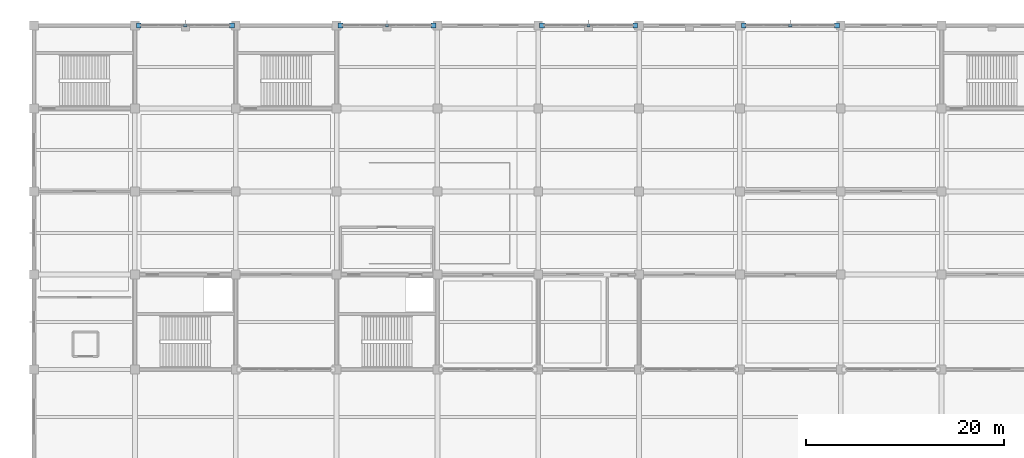
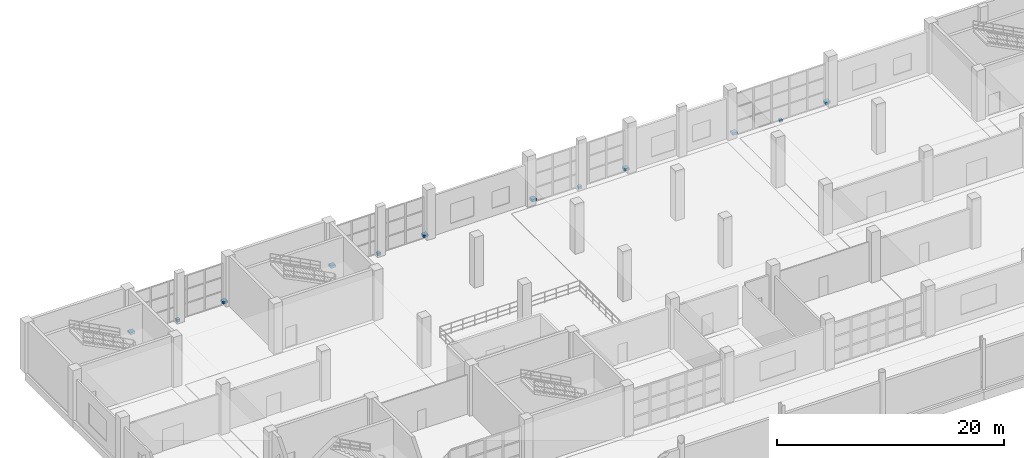
# One storey, part 150 of 175: 12 discrete accessories.
"""IFC4 building model written with IfcOpenShell, lengths in metres."""

from ifc_helpers import new_model, si_unit, direction, frame, origin, origin_2d, place, context, subcontext, project, spatial, rectangle, extrude, material, type_object, element, save


model = new_model("IFC4")

# Units and contexts
model_context = context("Model", 3, precision=1e-05, world=origin(), true_north=direction((0.0, 1.0)))
body_context = subcontext(model_context, "Body", "Model", "MODEL_VIEW")
ifc_project = project(units=[si_unit("LENGTHUNIT", "METRE"), si_unit("AREAUNIT", "SQUARE_METRE"), si_unit("VOLUMEUNIT", "CUBIC_METRE"), si_unit("PLANEANGLEUNIT", "RADIAN"), si_unit("MASSUNIT", "GRAM", prefix="KILO")], contexts=[model_context])

# Site, building, storey
site_placement = place(None, origin())
site = spatial("IfcSite", under=ifc_project, at=site_placement, CompositionType="ELEMENT")
building_placement = place(site_placement, origin())
building = spatial("IfcBuilding", under=site, at=building_placement, Name="Brelvane Convention Centre", CompositionType="ELEMENT")
storey_placement = place(building_placement, frame((0.0, 0.0, 5.39990234375)))
storey = spatial("IfcBuildingStorey", under=building, at=storey_placement, Name="L01", CompositionType="ELEMENT", Elevation=5.39990234375)

# Discrete accessories
ifc_material = material(Name="Steel E350 (350 MPa)", Category="steel")
discrete_accessory_type = type_object("IfcDiscreteAccessoryType", Name="Facade Outrigger Bracket BRK-02", PredefinedType="BRACKET", material=ifc_material)
for number, where, z_axis, x_axis, name in (
    (1, (10.590087890625, 144.0, 0.22998046875), (0.0, 0.0, 1.0), (1.0, 0.0, 0.0), "Curtain Wall Anchor Bracket L01-V4N-02-L"),
    (2, (20.010009765625, 144.0, 0.22998046875), (0.0, 0.0, 1.0), (1.0, 0.0, 0.0), "Curtain Wall Anchor Bracket L01-V4N-02-R"),
):
    element("IfcDiscreteAccessory", number, at=place(storey_placement, frame(where, z_axis=z_axis, x_axis=x_axis)), inside=storey, type_object=discrete_accessory_type, Name=name, PredefinedType="BRACKET", context=body_context, shape_type="SweptSolid", body=[
        extrude(rectangle(XDim=0.47998046875, YDim=0.47998046875, at=origin_2d()), origin(), (0.0, 0.0, 1.0), 0.239990234375),
    ])
discrete_accessory_1_placement = place(storey_placement, frame((15.300048828125, 144.0, -0.14013671875), z_axis=(0.0, 0.0, 1.0), x_axis=(1.0, 0.0, 0.0)))
element("IfcDiscreteAccessory", 3, at=discrete_accessory_1_placement, inside=storey, type_object=discrete_accessory_type, Name="Curtain Wall Anchor Bracket L01-V4N-02-B", PredefinedType="BRACKET", context=body_context, shape_type="SweptSolid", body=[
    extrude(rectangle(XDim=0.320068359375, YDim=0.320068359375, at=origin_2d()), origin(), (0.0, 0.0, 1.0), 0.280029296875),
])
for number, where, z_axis, x_axis, name in (
    (4, (30.989990234375, 144.0, 0.22998046875), (0.0, 0.0, 1.0), (1.0, 0.0, 0.0), "Curtain Wall Anchor Bracket L01-V4N-04-L"),
    (5, (40.409912109375, 144.0, 0.22998046875), (0.0, 0.0, 1.0), (1.0, 0.0, 0.0), "Curtain Wall Anchor Bracket L01-V4N-04-R"),
):
    element("IfcDiscreteAccessory", number, at=place(storey_placement, frame(where, z_axis=z_axis, x_axis=x_axis)), inside=storey, type_object=discrete_accessory_type, Name=name, PredefinedType="BRACKET", context=body_context, shape_type="SweptSolid", body=[
        extrude(rectangle(XDim=0.47998046875, YDim=0.47998046875, at=origin_2d()), origin(), (0.0, 0.0, 1.0), 0.239990234375),
    ])
discrete_accessory_2_placement = place(storey_placement, frame((35.699951171875, 144.0, -0.14013671875), z_axis=(0.0, 0.0, 1.0), x_axis=(1.0, 0.0, 0.0)))
element("IfcDiscreteAccessory", 6, at=discrete_accessory_2_placement, inside=storey, type_object=discrete_accessory_type, Name="Curtain Wall Anchor Bracket L01-V4N-04-B", PredefinedType="BRACKET", context=body_context, shape_type="SweptSolid", body=[
    extrude(rectangle(XDim=0.320068359375, YDim=0.320068359375, at=origin_2d()), origin(), (0.0, 0.0, 1.0), 0.280029296875),
])
for number, where, z_axis, x_axis, name in (
    (7, (51.389892578125, 144.0, 0.22998046875), (0.0, 0.0, 1.0), (1.0, 0.0, 0.0), "Curtain Wall Anchor Bracket L01-V4N-06-L"),
    (8, (60.81005859375, 144.0, 0.22998046875), (0.0, 0.0, 1.0), (1.0, 0.0, 0.0), "Curtain Wall Anchor Bracket L01-V4N-06-R"),
):
    element("IfcDiscreteAccessory", number, at=place(storey_placement, frame(where, z_axis=z_axis, x_axis=x_axis)), inside=storey, type_object=discrete_accessory_type, Name=name, PredefinedType="BRACKET", context=body_context, shape_type="SweptSolid", body=[
        extrude(rectangle(XDim=0.47998046875, YDim=0.47998046875, at=origin_2d()), origin(), (0.0, 0.0, 1.0), 0.239990234375),
    ])
discrete_accessory_3_placement = place(storey_placement, frame((56.10009765625, 144.0, -0.14013671875), z_axis=(0.0, 0.0, 1.0), x_axis=(1.0, 0.0, 0.0)))
element("IfcDiscreteAccessory", 9, at=discrete_accessory_3_placement, inside=storey, type_object=discrete_accessory_type, Name="Curtain Wall Anchor Bracket L01-V4N-06-B", PredefinedType="BRACKET", context=body_context, shape_type="SweptSolid", body=[
    extrude(rectangle(XDim=0.320068359375, YDim=0.320068359375, at=origin_2d()), origin(), (0.0, 0.0, 1.0), 0.280029296875),
])
for number, where, z_axis, x_axis, name in (
    (10, (71.7900390625, 144.0, 0.22998046875), (0.0, 0.0, 1.0), (1.0, 0.0, 0.0), "Curtain Wall Anchor Bracket L01-V4N-08-L"),
    (11, (81.2099609375, 144.0, 0.22998046875), (0.0, 0.0, 1.0), (1.0, 0.0, 0.0), "Curtain Wall Anchor Bracket L01-V4N-08-R"),
):
    element("IfcDiscreteAccessory", number, at=place(storey_placement, frame(where, z_axis=z_axis, x_axis=x_axis)), inside=storey, type_object=discrete_accessory_type, Name=name, PredefinedType="BRACKET", context=body_context, shape_type="SweptSolid", body=[
        extrude(rectangle(XDim=0.47998046875, YDim=0.47998046875, at=origin_2d()), origin(), (0.0, 0.0, 1.0), 0.239990234375),
    ])
discrete_accessory_4_placement = place(storey_placement, frame((76.5, 144.0, -0.14013671875), z_axis=(0.0, 0.0, 1.0), x_axis=(1.0, 0.0, 0.0)))
element("IfcDiscreteAccessory", 12, at=discrete_accessory_4_placement, inside=storey, type_object=discrete_accessory_type, Name="Curtain Wall Anchor Bracket L01-V4N-08-B", PredefinedType="BRACKET", context=body_context, shape_type="SweptSolid", body=[
    extrude(rectangle(XDim=0.320068359375, YDim=0.320068359375, at=origin_2d()), origin(), (0.0, 0.0, 1.0), 0.280029296875),
])

save(model, "model.ifc")
